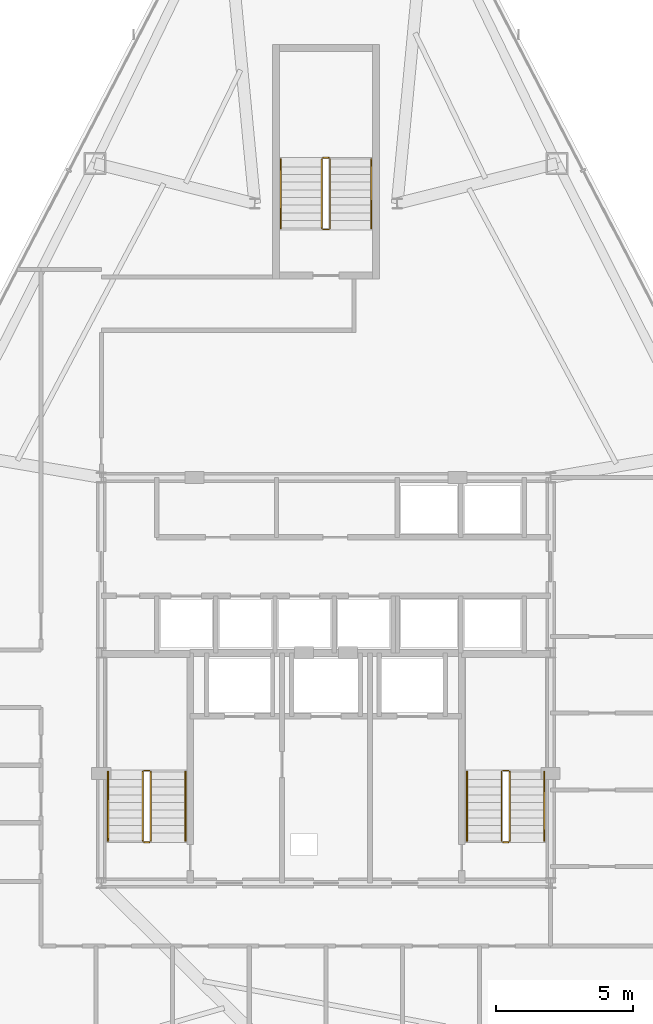
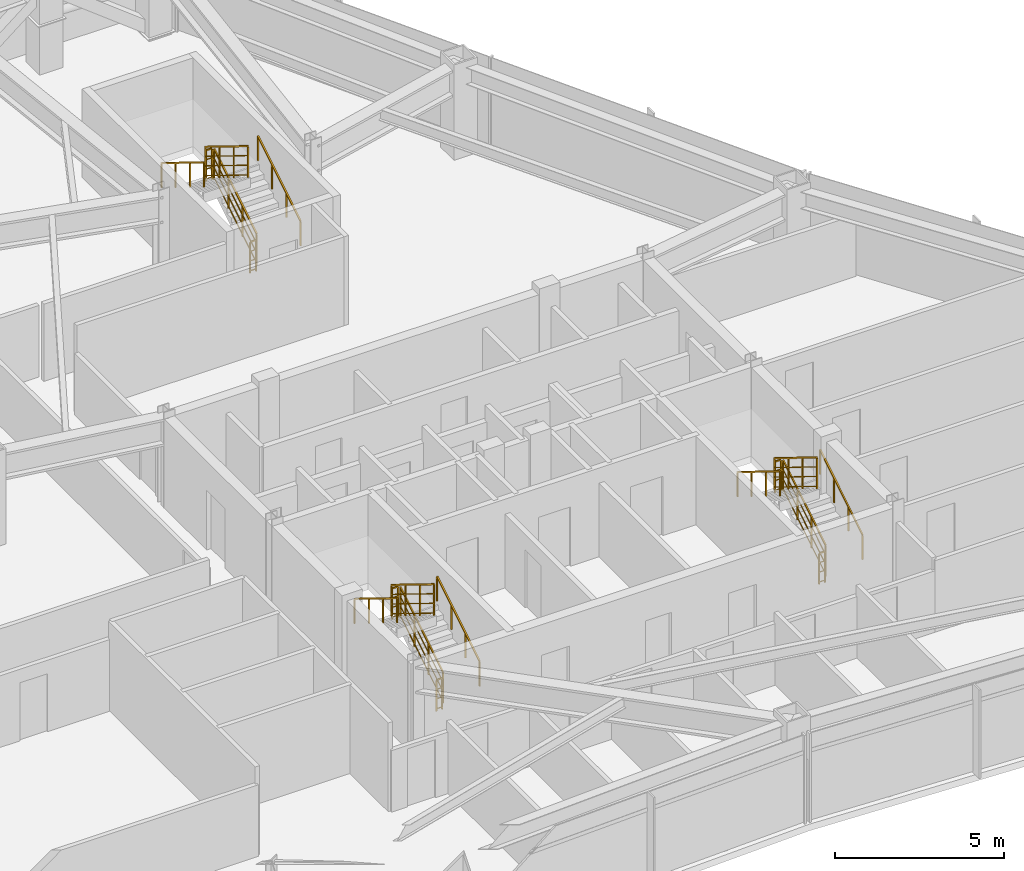
# One storey, part 13 of 13: 18 railings.
"""IFC4 building model written with IfcOpenShell, lengths in metres."""

from ifc_helpers import new_model, si_unit, direction, frame, origin, origin_2d, place, context, subcontext, project, spatial, rectangle, extrude, material, type_object, element, save


model = new_model("IFC4")

# Units and contexts
model_context = context("Model", 3, precision=1e-05, world=origin(), true_north=direction((0.0, 1.0)))
body_context = subcontext(model_context, "Body", "Model", "MODEL_VIEW")
ifc_project = project(units=[si_unit("LENGTHUNIT", "METRE"), si_unit("AREAUNIT", "SQUARE_METRE"), si_unit("VOLUMEUNIT", "CUBIC_METRE"), si_unit("PLANEANGLEUNIT", "RADIAN"), si_unit("MASSUNIT", "GRAM", prefix="KILO")], contexts=[model_context])

# Site, building, storey
site_placement = place(None, origin())
site = spatial("IfcSite", under=ifc_project, at=site_placement, CompositionType="ELEMENT")
building_placement = place(site_placement, origin())
building = spatial("IfcBuilding", under=site, at=building_placement, Name="Varakhsha Concourse Tower", CompositionType="ELEMENT")
storey_placement = place(building_placement, frame((0.0, 0.0, 189.60009765625)))
storey = spatial("IfcBuildingStorey", under=building, at=storey_placement, Name="L54", CompositionType="ELEMENT", Elevation=189.60009765625)

# Railings
ifc_material = material(Name="Brushed Austenitic Stainless Steel AISI 316", Category="steel")
railing_type_1 = type_object("IfcRailingType", Name="RL-STAIR-GUARD-1100", PredefinedType="GUARDRAIL", material=ifc_material)
railing_1_placement = place(storey_placement, frame((33.610107421875, 17.93994140625, 0.17236328125)))
element("IfcRailing", 1, at=railing_1_placement, inside=storey, type_object=railing_type_1, Name="L54 ST1 stair guard 1", PredefinedType="GUARDRAIL", context=body_context, shape_type="SweptSolid", body=[
    extrude(rectangle(XDim=0.048095703125, YDim=0.048095703125, at=origin_2d()), frame((0.0, 0.0, 1.1259765625), z_axis=(0.0, 0.851400495292, 0.524516154772), x_axis=(-1.0, 0.0, 0.0)), (0.0, 0.0, 1.0), 2.9599609375),
    extrude(rectangle(XDim=0.028076171875, YDim=0.028076171875, at=origin_2d()), frame((0.0, 0.0, 0.080078125), z_axis=(0.0, 0.851400495292, 0.524516154772), x_axis=(-1.0, 0.0, 0.0)), (0.0, 0.0, 1.0), 2.9599609375),
    extrude(rectangle(XDim=0.028076171875, YDim=0.028076171875, at=origin_2d()), frame((0.0, 0.0, 0.43701171875), z_axis=(0.0, 0.851400495292, 0.524516154772), x_axis=(-1.0, 0.0, 0.0)), (0.0, 0.0, 1.0), 2.9599609375),
    extrude(rectangle(XDim=0.028076171875, YDim=0.028076171875, at=origin_2d()), frame((0.0, 0.0, 0.781982421875), z_axis=(0.0, 0.851400495292, 0.524516154772), x_axis=(-1.0, 0.0, 0.0)), (0.0, 0.0, 1.0), 2.9599609375),
    extrude(rectangle(XDim=0.0419921875, YDim=0.0419921875, at=origin_2d()), origin(), (0.0, 0.0, 1.0), 1.101806640625),
    extrude(rectangle(XDim=0.0419921875, YDim=0.0419921875, at=origin_2d()), frame((0.0, 0.840087890625, 0.517578125)), (0.0, 0.0, 1.0), 1.101806640625),
    extrude(rectangle(XDim=0.0419921875, YDim=0.0419921875, at=origin_2d()), frame((0.0, 1.679931640625, 1.034912109375)), (0.0, 0.0, 1.0), 1.101806640625),
    extrude(rectangle(XDim=0.0419921875, YDim=0.0419921875, at=origin_2d()), frame((0.0, 2.52001953125, 1.552490234375)), (0.0, 0.0, 1.0), 1.101806640625),
])
railing_2_placement = place(storey_placement, frame((33.56005859375, 20.510009765625, 1.724853515625)))
element("IfcRailing", 2, at=railing_2_placement, inside=storey, type_object=railing_type_1, Name="L54 ST1 stair guard 2", PredefinedType="GUARDRAIL", context=body_context, shape_type="SweptSolid", body=[
    extrude(rectangle(XDim=0.048095703125, YDim=0.048095703125, at=origin_2d()), frame((0.0, 0.0, 1.1259765625), z_axis=(-1.0, 0.0, 0.0), x_axis=(0.0, -1.0, 0.0)), (0.0, 0.0, 1.0), 0.199951171875),
    extrude(rectangle(XDim=0.028076171875, YDim=0.028076171875, at=origin_2d()), frame((0.0, 0.0, 0.080078125), z_axis=(-1.0, 0.0, 0.0), x_axis=(0.0, -1.0, 0.0)), (0.0, 0.0, 1.0), 0.199951171875),
    extrude(rectangle(XDim=0.028076171875, YDim=0.028076171875, at=origin_2d()), frame((0.0, 0.0, 0.43701171875), z_axis=(-1.0, 0.0, 0.0), x_axis=(0.0, -1.0, 0.0)), (0.0, 0.0, 1.0), 0.199951171875),
    extrude(rectangle(XDim=0.028076171875, YDim=0.028076171875, at=origin_2d()), frame((0.0, 0.0, 0.781982421875), z_axis=(-1.0, 0.0, 0.0), x_axis=(0.0, -1.0, 0.0)), (0.0, 0.0, 1.0), 0.199951171875),
    extrude(rectangle(XDim=0.0419921875, YDim=0.0419921875, at=origin_2d()), origin(), (0.0, 0.0, 1.0), 1.101806640625),
    extrude(rectangle(XDim=0.0419921875, YDim=0.0419921875, at=origin_2d()), frame((-0.199951171875, 0.0, 0.0)), (0.0, 0.0, 1.0), 1.101806640625),
])
railing_3_placement = place(storey_placement, frame((33.31005859375, 20.4599609375, 1.8974609375)))
element("IfcRailing", 3, at=railing_3_placement, inside=storey, type_object=railing_type_1, Name="L54 ST1 stair guard 3", PredefinedType="GUARDRAIL", context=body_context, shape_type="SweptSolid", body=[
    extrude(rectangle(XDim=0.048095703125, YDim=0.048095703125, at=origin_2d()), frame((0.0, 0.0, 1.1259765625), z_axis=(0.0, -0.851400495292, 0.524516154772), x_axis=(1.0, 0.0, 0.0)), (0.0, 0.0, 1.0), 2.9599609375),
    extrude(rectangle(XDim=0.028076171875, YDim=0.028076171875, at=origin_2d()), frame((0.0, 0.0, 0.080078125), z_axis=(0.0, -0.851400495292, 0.524516154772), x_axis=(1.0, 0.0, 0.0)), (0.0, 0.0, 1.0), 2.9599609375),
    extrude(rectangle(XDim=0.028076171875, YDim=0.028076171875, at=origin_2d()), frame((0.0, 0.0, 0.43701171875), z_axis=(0.0, -0.851400495292, 0.524516154772), x_axis=(1.0, 0.0, 0.0)), (0.0, 0.0, 1.0), 2.9599609375),
    extrude(rectangle(XDim=0.028076171875, YDim=0.028076171875, at=origin_2d()), frame((0.0, 0.0, 0.781982421875), z_axis=(0.0, -0.851400495292, 0.524516154772), x_axis=(1.0, 0.0, 0.0)), (0.0, 0.0, 1.0), 2.9599609375),
    extrude(rectangle(XDim=0.0419921875, YDim=0.0419921875, at=origin_2d()), origin(), (0.0, 0.0, 1.0), 1.101806640625),
    extrude(rectangle(XDim=0.0419921875, YDim=0.0419921875, at=origin_2d()), frame((0.0, -0.840087890625, 0.517578125)), (0.0, 0.0, 1.0), 1.101806640625),
    extrude(rectangle(XDim=0.0419921875, YDim=0.0419921875, at=origin_2d()), frame((0.0, -1.679931640625, 1.034912109375)), (0.0, 0.0, 1.0), 1.101806640625),
    extrude(rectangle(XDim=0.0419921875, YDim=0.0419921875, at=origin_2d()), frame((0.0, -2.52001953125, 1.552490234375)), (0.0, 0.0, 1.0), 1.101806640625),
])
railing_4_placement = place(storey_placement, frame((33.56005859375, 17.889892578125, 0.0)))
element("IfcRailing", 4, at=railing_4_placement, inside=storey, type_object=railing_type_1, Name="L54 ST1 stair guard 4", PredefinedType="GUARDRAIL", context=body_context, shape_type="SweptSolid", body=[
    extrude(rectangle(XDim=0.048095703125, YDim=0.048095703125, at=origin_2d()), frame((0.0, 0.0, 1.1259765625), z_axis=(-1.0, 0.0, 0.0), x_axis=(0.0, -1.0, 0.0)), (0.0, 0.0, 1.0), 0.199951171875),
    extrude(rectangle(XDim=0.028076171875, YDim=0.028076171875, at=origin_2d()), frame((0.0, 0.0, 0.080078125), z_axis=(-1.0, 0.0, 0.0), x_axis=(0.0, -1.0, 0.0)), (0.0, 0.0, 1.0), 0.199951171875),
    extrude(rectangle(XDim=0.028076171875, YDim=0.028076171875, at=origin_2d()), frame((0.0, 0.0, 0.43701171875), z_axis=(-1.0, 0.0, 0.0), x_axis=(0.0, -1.0, 0.0)), (0.0, 0.0, 1.0), 0.199951171875),
    extrude(rectangle(XDim=0.028076171875, YDim=0.028076171875, at=origin_2d()), frame((0.0, 0.0, 0.781982421875), z_axis=(-1.0, 0.0, 0.0), x_axis=(0.0, -1.0, 0.0)), (0.0, 0.0, 1.0), 0.199951171875),
    extrude(rectangle(XDim=0.0419921875, YDim=0.0419921875, at=origin_2d()), origin(), (0.0, 0.0, 1.0), 1.101806640625),
    extrude(rectangle(XDim=0.0419921875, YDim=0.0419921875, at=origin_2d()), frame((-0.199951171875, 0.0, 0.0)), (0.0, 0.0, 1.0), 1.101806640625),
])
railing_5_placement = place(storey_placement, frame((46.7099609375, 17.93994140625, 0.17236328125)))
element("IfcRailing", 5, at=railing_5_placement, inside=storey, type_object=railing_type_1, Name="L54 ST2 stair guard 1", PredefinedType="GUARDRAIL", context=body_context, shape_type="SweptSolid", body=[
    extrude(rectangle(XDim=0.048095703125, YDim=0.048095703125, at=origin_2d()), frame((0.0, 0.0, 1.1259765625), z_axis=(0.0, 0.851400495292, 0.524516154772), x_axis=(-1.0, 0.0, 0.0)), (0.0, 0.0, 1.0), 2.9599609375),
    extrude(rectangle(XDim=0.028076171875, YDim=0.028076171875, at=origin_2d()), frame((0.0, 0.0, 0.080078125), z_axis=(0.0, 0.851400495292, 0.524516154772), x_axis=(-1.0, 0.0, 0.0)), (0.0, 0.0, 1.0), 2.9599609375),
    extrude(rectangle(XDim=0.028076171875, YDim=0.028076171875, at=origin_2d()), frame((0.0, 0.0, 0.43701171875), z_axis=(0.0, 0.851400495292, 0.524516154772), x_axis=(-1.0, 0.0, 0.0)), (0.0, 0.0, 1.0), 2.9599609375),
    extrude(rectangle(XDim=0.028076171875, YDim=0.028076171875, at=origin_2d()), frame((0.0, 0.0, 0.781982421875), z_axis=(0.0, 0.851400495292, 0.524516154772), x_axis=(-1.0, 0.0, 0.0)), (0.0, 0.0, 1.0), 2.9599609375),
    extrude(rectangle(XDim=0.0419921875, YDim=0.0419921875, at=origin_2d()), origin(), (0.0, 0.0, 1.0), 1.101806640625),
    extrude(rectangle(XDim=0.0419921875, YDim=0.0419921875, at=origin_2d()), frame((0.0, 0.840087890625, 0.517578125)), (0.0, 0.0, 1.0), 1.101806640625),
    extrude(rectangle(XDim=0.0419921875, YDim=0.0419921875, at=origin_2d()), frame((0.0, 1.679931640625, 1.034912109375)), (0.0, 0.0, 1.0), 1.101806640625),
    extrude(rectangle(XDim=0.0419921875, YDim=0.0419921875, at=origin_2d()), frame((0.0, 2.52001953125, 1.552490234375)), (0.0, 0.0, 1.0), 1.101806640625),
])
railing_6_placement = place(storey_placement, frame((46.659912109375, 20.510009765625, 1.724853515625)))
element("IfcRailing", 6, at=railing_6_placement, inside=storey, type_object=railing_type_1, Name="L54 ST2 stair guard 2", PredefinedType="GUARDRAIL", context=body_context, shape_type="SweptSolid", body=[
    extrude(rectangle(XDim=0.048095703125, YDim=0.048095703125, at=origin_2d()), frame((0.0, 0.0, 1.1259765625), z_axis=(-1.0, 0.0, 0.0), x_axis=(0.0, -1.0, 0.0)), (0.0, 0.0, 1.0), 0.199951171875),
    extrude(rectangle(XDim=0.028076171875, YDim=0.028076171875, at=origin_2d()), frame((0.0, 0.0, 0.080078125), z_axis=(-1.0, 0.0, 0.0), x_axis=(0.0, -1.0, 0.0)), (0.0, 0.0, 1.0), 0.199951171875),
    extrude(rectangle(XDim=0.028076171875, YDim=0.028076171875, at=origin_2d()), frame((0.0, 0.0, 0.43701171875), z_axis=(-1.0, 0.0, 0.0), x_axis=(0.0, -1.0, 0.0)), (0.0, 0.0, 1.0), 0.199951171875),
    extrude(rectangle(XDim=0.028076171875, YDim=0.028076171875, at=origin_2d()), frame((0.0, 0.0, 0.781982421875), z_axis=(-1.0, 0.0, 0.0), x_axis=(0.0, -1.0, 0.0)), (0.0, 0.0, 1.0), 0.199951171875),
    extrude(rectangle(XDim=0.0419921875, YDim=0.0419921875, at=origin_2d()), origin(), (0.0, 0.0, 1.0), 1.101806640625),
    extrude(rectangle(XDim=0.0419921875, YDim=0.0419921875, at=origin_2d()), frame((-0.199951171875, 0.0, 0.0)), (0.0, 0.0, 1.0), 1.101806640625),
])
railing_7_placement = place(storey_placement, frame((46.409912109375, 20.4599609375, 1.8974609375)))
element("IfcRailing", 7, at=railing_7_placement, inside=storey, type_object=railing_type_1, Name="L54 ST2 stair guard 3", PredefinedType="GUARDRAIL", context=body_context, shape_type="SweptSolid", body=[
    extrude(rectangle(XDim=0.048095703125, YDim=0.048095703125, at=origin_2d()), frame((0.0, 0.0, 1.1259765625), z_axis=(0.0, -0.851400495292, 0.524516154772), x_axis=(1.0, 0.0, 0.0)), (0.0, 0.0, 1.0), 2.9599609375),
    extrude(rectangle(XDim=0.028076171875, YDim=0.028076171875, at=origin_2d()), frame((0.0, 0.0, 0.080078125), z_axis=(0.0, -0.851400495292, 0.524516154772), x_axis=(1.0, 0.0, 0.0)), (0.0, 0.0, 1.0), 2.9599609375),
    extrude(rectangle(XDim=0.028076171875, YDim=0.028076171875, at=origin_2d()), frame((0.0, 0.0, 0.43701171875), z_axis=(0.0, -0.851400495292, 0.524516154772), x_axis=(1.0, 0.0, 0.0)), (0.0, 0.0, 1.0), 2.9599609375),
    extrude(rectangle(XDim=0.028076171875, YDim=0.028076171875, at=origin_2d()), frame((0.0, 0.0, 0.781982421875), z_axis=(0.0, -0.851400495292, 0.524516154772), x_axis=(1.0, 0.0, 0.0)), (0.0, 0.0, 1.0), 2.9599609375),
    extrude(rectangle(XDim=0.0419921875, YDim=0.0419921875, at=origin_2d()), origin(), (0.0, 0.0, 1.0), 1.101806640625),
    extrude(rectangle(XDim=0.0419921875, YDim=0.0419921875, at=origin_2d()), frame((0.0, -0.840087890625, 0.517578125)), (0.0, 0.0, 1.0), 1.101806640625),
    extrude(rectangle(XDim=0.0419921875, YDim=0.0419921875, at=origin_2d()), frame((0.0, -1.679931640625, 1.034912109375)), (0.0, 0.0, 1.0), 1.101806640625),
    extrude(rectangle(XDim=0.0419921875, YDim=0.0419921875, at=origin_2d()), frame((0.0, -2.52001953125, 1.552490234375)), (0.0, 0.0, 1.0), 1.101806640625),
])
railing_8_placement = place(storey_placement, frame((46.659912109375, 17.889892578125, 0.0)))
element("IfcRailing", 8, at=railing_8_placement, inside=storey, type_object=railing_type_1, Name="L54 ST2 stair guard 4", PredefinedType="GUARDRAIL", context=body_context, shape_type="SweptSolid", body=[
    extrude(rectangle(XDim=0.048095703125, YDim=0.048095703125, at=origin_2d()), frame((0.0, 0.0, 1.1259765625), z_axis=(-1.0, 0.0, 0.0), x_axis=(0.0, -1.0, 0.0)), (0.0, 0.0, 1.0), 0.199951171875),
    extrude(rectangle(XDim=0.028076171875, YDim=0.028076171875, at=origin_2d()), frame((0.0, 0.0, 0.080078125), z_axis=(-1.0, 0.0, 0.0), x_axis=(0.0, -1.0, 0.0)), (0.0, 0.0, 1.0), 0.199951171875),
    extrude(rectangle(XDim=0.028076171875, YDim=0.028076171875, at=origin_2d()), frame((0.0, 0.0, 0.43701171875), z_axis=(-1.0, 0.0, 0.0), x_axis=(0.0, -1.0, 0.0)), (0.0, 0.0, 1.0), 0.199951171875),
    extrude(rectangle(XDim=0.028076171875, YDim=0.028076171875, at=origin_2d()), frame((0.0, 0.0, 0.781982421875), z_axis=(-1.0, 0.0, 0.0), x_axis=(0.0, -1.0, 0.0)), (0.0, 0.0, 1.0), 0.199951171875),
    extrude(rectangle(XDim=0.0419921875, YDim=0.0419921875, at=origin_2d()), origin(), (0.0, 0.0, 1.0), 1.101806640625),
    extrude(rectangle(XDim=0.0419921875, YDim=0.0419921875, at=origin_2d()), frame((-0.199951171875, 0.0, 0.0)), (0.0, 0.0, 1.0), 1.101806640625),
])
railing_9_placement = place(storey_placement, frame((40.14990234375, 40.300048828125, 0.17236328125)))
element("IfcRailing", 9, at=railing_9_placement, inside=storey, type_object=railing_type_1, Name="L54 ST5 stair guard 1", PredefinedType="GUARDRAIL", context=body_context, shape_type="SweptSolid", body=[
    extrude(rectangle(XDim=0.048095703125, YDim=0.048095703125, at=origin_2d()), frame((0.0, 0.0, 1.1259765625), z_axis=(0.0, 0.851400495292, 0.524516154772), x_axis=(-1.0, 0.0, 0.0)), (0.0, 0.0, 1.0), 2.9599609375),
    extrude(rectangle(XDim=0.028076171875, YDim=0.028076171875, at=origin_2d()), frame((0.0, 0.0, 0.080078125), z_axis=(0.0, 0.851400495292, 0.524516154772), x_axis=(-1.0, 0.0, 0.0)), (0.0, 0.0, 1.0), 2.9599609375),
    extrude(rectangle(XDim=0.028076171875, YDim=0.028076171875, at=origin_2d()), frame((0.0, 0.0, 0.43701171875), z_axis=(0.0, 0.851400495292, 0.524516154772), x_axis=(-1.0, 0.0, 0.0)), (0.0, 0.0, 1.0), 2.9599609375),
    extrude(rectangle(XDim=0.028076171875, YDim=0.028076171875, at=origin_2d()), frame((0.0, 0.0, 0.781982421875), z_axis=(0.0, 0.851400495292, 0.524516154772), x_axis=(-1.0, 0.0, 0.0)), (0.0, 0.0, 1.0), 2.9599609375),
    extrude(rectangle(XDim=0.0419921875, YDim=0.0419921875, at=origin_2d()), origin(), (0.0, 0.0, 1.0), 1.101806640625),
    extrude(rectangle(XDim=0.0419921875, YDim=0.0419921875, at=origin_2d()), frame((0.0, 0.840087890625, 0.517578125)), (0.0, 0.0, 1.0), 1.101806640625),
    extrude(rectangle(XDim=0.0419921875, YDim=0.0419921875, at=origin_2d()), frame((0.0, 1.679931640625, 1.034912109375)), (0.0, 0.0, 1.0), 1.101806640625),
    extrude(rectangle(XDim=0.0419921875, YDim=0.0419921875, at=origin_2d()), frame((0.0, 2.52001953125, 1.552490234375)), (0.0, 0.0, 1.0), 1.101806640625),
])
railing_10_placement = place(storey_placement, frame((40.10009765625, 42.8701171875, 1.724853515625)))
element("IfcRailing", 10, at=railing_10_placement, inside=storey, type_object=railing_type_1, Name="L54 ST5 stair guard 2", PredefinedType="GUARDRAIL", context=body_context, shape_type="SweptSolid", body=[
    extrude(rectangle(XDim=0.048095703125, YDim=0.048095703125, at=origin_2d()), frame((0.0, 0.0, 1.1259765625), z_axis=(-1.0, 0.0, 0.0), x_axis=(0.0, -1.0, 0.0)), (0.0, 0.0, 1.0), 0.2001953125),
    extrude(rectangle(XDim=0.028076171875, YDim=0.028076171875, at=origin_2d()), frame((0.0, 0.0, 0.080078125), z_axis=(-1.0, 0.0, 0.0), x_axis=(0.0, -1.0, 0.0)), (0.0, 0.0, 1.0), 0.2001953125),
    extrude(rectangle(XDim=0.028076171875, YDim=0.028076171875, at=origin_2d()), frame((0.0, 0.0, 0.43701171875), z_axis=(-1.0, 0.0, 0.0), x_axis=(0.0, -1.0, 0.0)), (0.0, 0.0, 1.0), 0.2001953125),
    extrude(rectangle(XDim=0.028076171875, YDim=0.028076171875, at=origin_2d()), frame((0.0, 0.0, 0.781982421875), z_axis=(-1.0, 0.0, 0.0), x_axis=(0.0, -1.0, 0.0)), (0.0, 0.0, 1.0), 0.2001953125),
    extrude(rectangle(XDim=0.0419921875, YDim=0.0419921875, at=origin_2d()), origin(), (0.0, 0.0, 1.0), 1.101806640625),
    extrude(rectangle(XDim=0.0419921875, YDim=0.0419921875, at=origin_2d()), frame((-0.2001953125, 0.0, 0.0)), (0.0, 0.0, 1.0), 1.101806640625),
])
railing_11_placement = place(storey_placement, frame((39.85009765625, 42.820068359375, 1.8974609375)))
element("IfcRailing", 11, at=railing_11_placement, inside=storey, type_object=railing_type_1, Name="L54 ST5 stair guard 3", PredefinedType="GUARDRAIL", context=body_context, shape_type="SweptSolid", body=[
    extrude(rectangle(XDim=0.048095703125, YDim=0.048095703125, at=origin_2d()), frame((0.0, 0.0, 1.1259765625), z_axis=(0.0, -0.851400495292, 0.524516154772), x_axis=(1.0, 0.0, 0.0)), (0.0, 0.0, 1.0), 2.9599609375),
    extrude(rectangle(XDim=0.028076171875, YDim=0.028076171875, at=origin_2d()), frame((0.0, 0.0, 0.080078125), z_axis=(0.0, -0.851400495292, 0.524516154772), x_axis=(1.0, 0.0, 0.0)), (0.0, 0.0, 1.0), 2.9599609375),
    extrude(rectangle(XDim=0.028076171875, YDim=0.028076171875, at=origin_2d()), frame((0.0, 0.0, 0.43701171875), z_axis=(0.0, -0.851400495292, 0.524516154772), x_axis=(1.0, 0.0, 0.0)), (0.0, 0.0, 1.0), 2.9599609375),
    extrude(rectangle(XDim=0.028076171875, YDim=0.028076171875, at=origin_2d()), frame((0.0, 0.0, 0.781982421875), z_axis=(0.0, -0.851400495292, 0.524516154772), x_axis=(1.0, 0.0, 0.0)), (0.0, 0.0, 1.0), 2.9599609375),
    extrude(rectangle(XDim=0.0419921875, YDim=0.0419921875, at=origin_2d()), origin(), (0.0, 0.0, 1.0), 1.101806640625),
    extrude(rectangle(XDim=0.0419921875, YDim=0.0419921875, at=origin_2d()), frame((0.0, -0.840087890625, 0.517578125)), (0.0, 0.0, 1.0), 1.101806640625),
    extrude(rectangle(XDim=0.0419921875, YDim=0.0419921875, at=origin_2d()), frame((0.0, -1.679931640625, 1.034912109375)), (0.0, 0.0, 1.0), 1.101806640625),
    extrude(rectangle(XDim=0.0419921875, YDim=0.0419921875, at=origin_2d()), frame((0.0, -2.52001953125, 1.552490234375)), (0.0, 0.0, 1.0), 1.101806640625),
])
railing_12_placement = place(storey_placement, frame((40.10009765625, 40.25, 0.0)))
element("IfcRailing", 12, at=railing_12_placement, inside=storey, type_object=railing_type_1, Name="L54 ST5 stair guard 4", PredefinedType="GUARDRAIL", context=body_context, shape_type="SweptSolid", body=[
    extrude(rectangle(XDim=0.048095703125, YDim=0.048095703125, at=origin_2d()), frame((0.0, 0.0, 1.1259765625), z_axis=(-1.0, 0.0, 0.0), x_axis=(0.0, -1.0, 0.0)), (0.0, 0.0, 1.0), 0.2001953125),
    extrude(rectangle(XDim=0.028076171875, YDim=0.028076171875, at=origin_2d()), frame((0.0, 0.0, 0.080078125), z_axis=(-1.0, 0.0, 0.0), x_axis=(0.0, -1.0, 0.0)), (0.0, 0.0, 1.0), 0.2001953125),
    extrude(rectangle(XDim=0.028076171875, YDim=0.028076171875, at=origin_2d()), frame((0.0, 0.0, 0.43701171875), z_axis=(-1.0, 0.0, 0.0), x_axis=(0.0, -1.0, 0.0)), (0.0, 0.0, 1.0), 0.2001953125),
    extrude(rectangle(XDim=0.028076171875, YDim=0.028076171875, at=origin_2d()), frame((0.0, 0.0, 0.781982421875), z_axis=(-1.0, 0.0, 0.0), x_axis=(0.0, -1.0, 0.0)), (0.0, 0.0, 1.0), 0.2001953125),
    extrude(rectangle(XDim=0.0419921875, YDim=0.0419921875, at=origin_2d()), origin(), (0.0, 0.0, 1.0), 1.101806640625),
    extrude(rectangle(XDim=0.0419921875, YDim=0.0419921875, at=origin_2d()), frame((-0.2001953125, 0.0, 0.0)), (0.0, 0.0, 1.0), 1.101806640625),
])
railing_type_2 = type_object("IfcRailingType", Name="RL-STAIR-RAIL-915", PredefinedType="HANDRAIL", material=ifc_material)
railing_13_placement = place(storey_placement, frame((34.8701171875, 17.93994140625, 0.344970703125)))
element("IfcRailing", 13, at=railing_13_placement, inside=storey, type_object=railing_type_2, Name="L54 ST1 stair handrail 1", PredefinedType="HANDRAIL", context=body_context, shape_type="SweptSolid", body=[
    extrude(rectangle(XDim=0.048095703125, YDim=0.048095703125, at=origin_2d()), frame((0.0, 0.0, 0.89111328125), z_axis=(0.0, 0.851400495292, 0.524516154772), x_axis=(-1.0, 0.0, 0.0)), (0.0, 0.0, 1.0), 2.9599609375),
    extrude(rectangle(XDim=0.0419921875, YDim=0.0419921875, at=origin_2d()), origin(), (0.0, 0.0, 1.0), 0.866943359375),
    extrude(rectangle(XDim=0.0419921875, YDim=0.0419921875, at=origin_2d()), frame((0.0, 0.840087890625, 0.517578125)), (0.0, 0.0, 1.0), 0.866943359375),
    extrude(rectangle(XDim=0.0419921875, YDim=0.0419921875, at=origin_2d()), frame((0.0, 1.679931640625, 1.034912109375)), (0.0, 0.0, 1.0), 0.866943359375),
    extrude(rectangle(XDim=0.0419921875, YDim=0.0419921875, at=origin_2d()), frame((0.0, 2.52001953125, 1.552490234375)), (0.0, 0.0, 1.0), 0.866943359375),
])
railing_14_placement = place(storey_placement, frame((32.050048828125, 20.4599609375, 2.06982421875)))
element("IfcRailing", 14, at=railing_14_placement, inside=storey, type_object=railing_type_2, Name="L54 ST1 stair handrail 2", PredefinedType="HANDRAIL", context=body_context, shape_type="SweptSolid", body=[
    extrude(rectangle(XDim=0.048095703125, YDim=0.048095703125, at=origin_2d()), frame((0.0, 0.0, 0.89111328125), z_axis=(0.0, -0.851400495292, 0.524516154772), x_axis=(1.0, 0.0, 0.0)), (0.0, 0.0, 1.0), 2.9599609375),
    extrude(rectangle(XDim=0.0419921875, YDim=0.0419921875, at=origin_2d()), origin(), (0.0, 0.0, 1.0), 0.866943359375),
    extrude(rectangle(XDim=0.0419921875, YDim=0.0419921875, at=origin_2d()), frame((0.0, -0.840087890625, 0.517578125)), (0.0, 0.0, 1.0), 0.866943359375),
    extrude(rectangle(XDim=0.0419921875, YDim=0.0419921875, at=origin_2d()), frame((0.0, -1.679931640625, 1.034912109375)), (0.0, 0.0, 1.0), 0.866943359375),
    extrude(rectangle(XDim=0.0419921875, YDim=0.0419921875, at=origin_2d()), frame((0.0, -2.52001953125, 1.552490234375)), (0.0, 0.0, 1.0), 0.866943359375),
])
railing_15_placement = place(storey_placement, frame((47.969970703125, 17.93994140625, 0.344970703125)))
element("IfcRailing", 15, at=railing_15_placement, inside=storey, type_object=railing_type_2, Name="L54 ST2 stair handrail 1", PredefinedType="HANDRAIL", context=body_context, shape_type="SweptSolid", body=[
    extrude(rectangle(XDim=0.048095703125, YDim=0.048095703125, at=origin_2d()), frame((0.0, 0.0, 0.89111328125), z_axis=(0.0, 0.851400495292, 0.524516154772), x_axis=(-1.0, 0.0, 0.0)), (0.0, 0.0, 1.0), 2.9599609375),
    extrude(rectangle(XDim=0.0419921875, YDim=0.0419921875, at=origin_2d()), origin(), (0.0, 0.0, 1.0), 0.866943359375),
    extrude(rectangle(XDim=0.0419921875, YDim=0.0419921875, at=origin_2d()), frame((0.0, 0.840087890625, 0.517578125)), (0.0, 0.0, 1.0), 0.866943359375),
    extrude(rectangle(XDim=0.0419921875, YDim=0.0419921875, at=origin_2d()), frame((0.0, 1.679931640625, 1.034912109375)), (0.0, 0.0, 1.0), 0.866943359375),
    extrude(rectangle(XDim=0.0419921875, YDim=0.0419921875, at=origin_2d()), frame((0.0, 2.52001953125, 1.552490234375)), (0.0, 0.0, 1.0), 0.866943359375),
])
railing_16_placement = place(storey_placement, frame((45.14990234375, 20.4599609375, 2.06982421875)))
element("IfcRailing", 16, at=railing_16_placement, inside=storey, type_object=railing_type_2, Name="L54 ST2 stair handrail 2", PredefinedType="HANDRAIL", context=body_context, shape_type="SweptSolid", body=[
    extrude(rectangle(XDim=0.048095703125, YDim=0.048095703125, at=origin_2d()), frame((0.0, 0.0, 0.89111328125), z_axis=(0.0, -0.851400495292, 0.524516154772), x_axis=(1.0, 0.0, 0.0)), (0.0, 0.0, 1.0), 2.9599609375),
    extrude(rectangle(XDim=0.0419921875, YDim=0.0419921875, at=origin_2d()), origin(), (0.0, 0.0, 1.0), 0.866943359375),
    extrude(rectangle(XDim=0.0419921875, YDim=0.0419921875, at=origin_2d()), frame((0.0, -0.840087890625, 0.517578125)), (0.0, 0.0, 1.0), 0.866943359375),
    extrude(rectangle(XDim=0.0419921875, YDim=0.0419921875, at=origin_2d()), frame((0.0, -1.679931640625, 1.034912109375)), (0.0, 0.0, 1.0), 0.866943359375),
    extrude(rectangle(XDim=0.0419921875, YDim=0.0419921875, at=origin_2d()), frame((0.0, -2.52001953125, 1.552490234375)), (0.0, 0.0, 1.0), 0.866943359375),
])
railing_17_placement = place(storey_placement, frame((41.64990234375, 40.300048828125, 0.344970703125)))
element("IfcRailing", 17, at=railing_17_placement, inside=storey, type_object=railing_type_2, Name="L54 ST5 stair handrail 1", PredefinedType="HANDRAIL", context=body_context, shape_type="SweptSolid", body=[
    extrude(rectangle(XDim=0.048095703125, YDim=0.048095703125, at=origin_2d()), frame((0.0, 0.0, 0.89111328125), z_axis=(0.0, 0.851400495292, 0.524516154772), x_axis=(-1.0, 0.0, 0.0)), (0.0, 0.0, 1.0), 2.9599609375),
    extrude(rectangle(XDim=0.0419921875, YDim=0.0419921875, at=origin_2d()), origin(), (0.0, 0.0, 1.0), 0.866943359375),
    extrude(rectangle(XDim=0.0419921875, YDim=0.0419921875, at=origin_2d()), frame((0.0, 0.840087890625, 0.517578125)), (0.0, 0.0, 1.0), 0.866943359375),
    extrude(rectangle(XDim=0.0419921875, YDim=0.0419921875, at=origin_2d()), frame((0.0, 1.679931640625, 1.034912109375)), (0.0, 0.0, 1.0), 0.866943359375),
    extrude(rectangle(XDim=0.0419921875, YDim=0.0419921875, at=origin_2d()), frame((0.0, 2.52001953125, 1.552490234375)), (0.0, 0.0, 1.0), 0.866943359375),
])
railing_18_placement = place(storey_placement, frame((38.35009765625, 42.820068359375, 2.06982421875)))
element("IfcRailing", 18, at=railing_18_placement, inside=storey, type_object=railing_type_2, Name="L54 ST5 stair handrail 2", PredefinedType="HANDRAIL", context=body_context, shape_type="SweptSolid", body=[
    extrude(rectangle(XDim=0.048095703125, YDim=0.048095703125, at=origin_2d()), frame((0.0, 0.0, 0.89111328125), z_axis=(0.0, -0.851400495292, 0.524516154772), x_axis=(1.0, 0.0, 0.0)), (0.0, 0.0, 1.0), 2.9599609375),
    extrude(rectangle(XDim=0.0419921875, YDim=0.0419921875, at=origin_2d()), origin(), (0.0, 0.0, 1.0), 0.866943359375),
    extrude(rectangle(XDim=0.0419921875, YDim=0.0419921875, at=origin_2d()), frame((0.0, -0.840087890625, 0.517578125)), (0.0, 0.0, 1.0), 0.866943359375),
    extrude(rectangle(XDim=0.0419921875, YDim=0.0419921875, at=origin_2d()), frame((0.0, -1.679931640625, 1.034912109375)), (0.0, 0.0, 1.0), 0.866943359375),
    extrude(rectangle(XDim=0.0419921875, YDim=0.0419921875, at=origin_2d()), frame((0.0, -2.52001953125, 1.552490234375)), (0.0, 0.0, 1.0), 0.866943359375),
])

save(model, "model.ifc")
